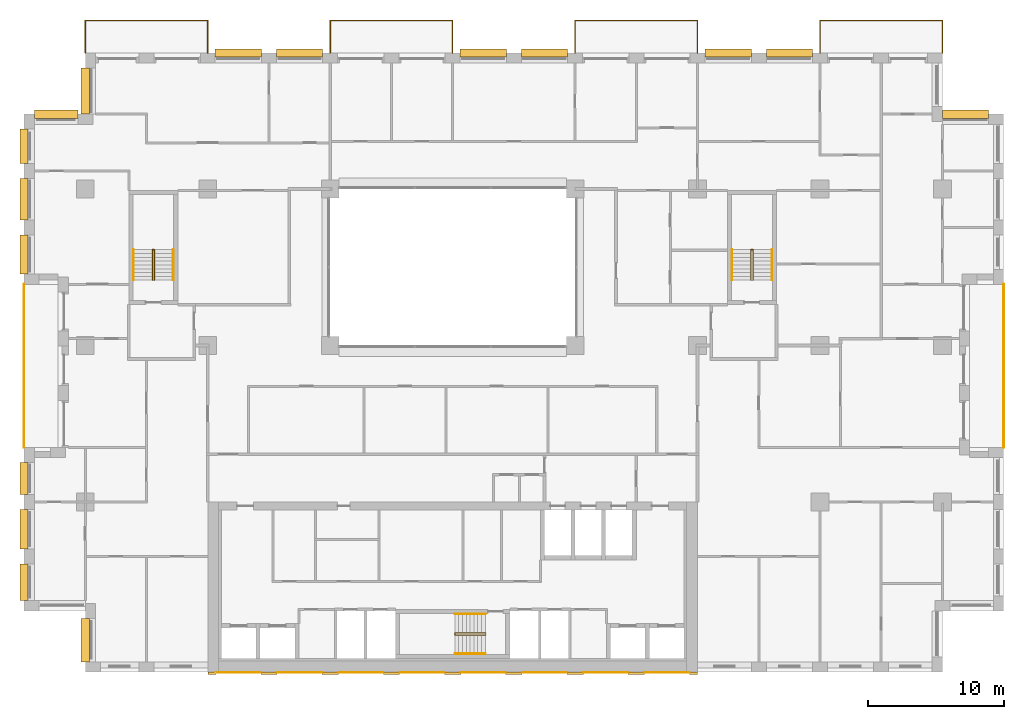
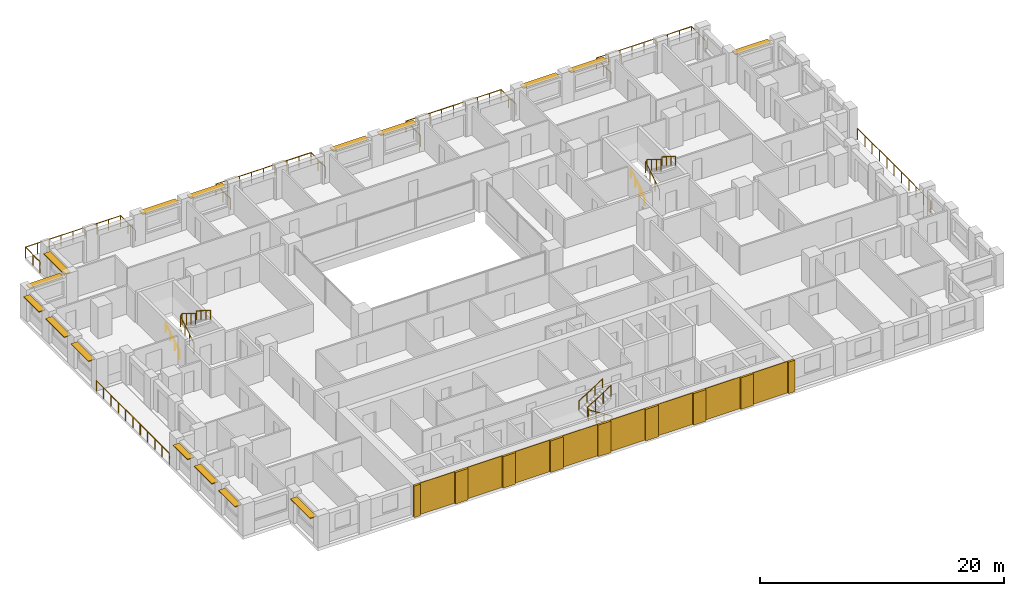
# One storey, part 16 of 16: 17 coverings, 16 shading devices, 15 railings.
"""IFC4 building model written with IfcOpenShell, lengths in metres."""

import ifcopenshell
import ifcopenshell.guid

model = None  # the IFC model being written
_history = None  # IfcOwnerHistory: only IFC2X3 demands one
_inside = {}  # id of a spatial element -> (the spatial element, [elements in it])
_under = {}  # id of a project, library or spatial element -> (it, [spatial elements below it])
_declared = {}  # id of a project -> (the project, [libraries it declares])
_typed = {}  # id of a type object -> (the type object, [elements of that type])
_made_of = {}  # id of a material, layer set ... -> (it, [elements and type objects made of it])


def new_model(schema):
    """Start an empty IFC model of exactly this schema.

    Asked for "IFC4X3", IfcOpenShell would pick the latest addendum, in which some entities
    have other attributes; the version numbers below select the first issue.
    IFC2X3 requires an IfcOwnerHistory on every rooted entity: one is made here for all.
    """
    global model, _history
    if schema == "IFC4X3":
        model = ifcopenshell.file(schema_version=(4, 3, 0, 0))
    else:
        model = ifcopenshell.file(schema=schema)
    _inside.clear()
    _under.clear()
    _declared.clear()
    _typed.clear()
    _made_of.clear()
    _history = None
    if model.schema == "IFC2X3":
        org = make("IfcOrganization", Name="unknown")
        user = make(
            "IfcPersonAndOrganization",
            ThePerson=make("IfcPerson", FamilyName="unknown"),
            TheOrganization=org,
        )
        app = make(
            "IfcApplication",
            ApplicationDeveloper=org,
            Version="unknown",
            ApplicationFullName="unknown",
            ApplicationIdentifier="unknown",
        )
        _history = make(
            "IfcOwnerHistory",
            OwningUser=user,
            OwningApplication=app,
            ChangeAction="ADDED",
            CreationDate=0,
        )
    return model


def make(cls, **values):
    """One entity of the class cls with the attributes given. An attribute that is None is left unset."""
    return model.create_entity(
        cls, **{name: value for name, value in values.items() if value is not None}
    )


def rooted(cls, **values):
    """An entity with a GlobalId (a new one), such as an element, a storey or a relation."""
    return make(cls, GlobalId=ifcopenshell.guid.new(), OwnerHistory=_history, **values)


def si_unit(unit_type, name, prefix=None):
    """IfcSIUnit, for example si_unit("LENGTHUNIT", "METRE", prefix="MILLI")."""
    return make("IfcSIUnit", UnitType=unit_type, Prefix=prefix, Name=name)


def assignment(units):
    """IfcUnitAssignment: the units of a project."""
    return None if units is None else make("IfcUnitAssignment", Units=units)


def point(xyz):
    """IfcCartesianPoint."""
    return None if xyz is None else make("IfcCartesianPoint", Coordinates=xyz)


def direction(xyz):
    """IfcDirection."""
    return None if xyz is None else make("IfcDirection", DirectionRatios=xyz)


def frame(location, z_axis=None, x_axis=None):
    """IfcAxis2Placement3D, a coordinate frame: its origin and axes. An axis left out is left unset."""
    return make(
        "IfcAxis2Placement3D",
        Location=point(location),
        Axis=direction(z_axis),
        RefDirection=direction(x_axis),
    )


def frame_2d(location, x_axis=None):
    """IfcAxis2Placement2D, a coordinate frame in the plane: its origin and x axis."""
    return make(
        "IfcAxis2Placement2D", Location=point(location), RefDirection=direction(x_axis)
    )


def origin():
    """The frame at (0, 0, 0) with its axes left unset."""
    return frame((0.0, 0.0, 0.0))


def origin_2d():
    """The frame at (0, 0) in the plane with its x axis left unset."""
    return frame_2d((0.0, 0.0))


def place(relative_to, where):
    """IfcLocalPlacement: puts the frame where relative to a parent placement (None: the world)."""
    return make(
        "IfcLocalPlacement", PlacementRelTo=relative_to, RelativePlacement=where
    )


def context(
    kind, dimensions, precision=None, world=None, true_north=None, identifier=None
):
    """IfcGeometricRepresentationContext, for example the 3D "Model" context."""
    return make(
        "IfcGeometricRepresentationContext",
        ContextIdentifier=identifier,
        ContextType=kind,
        CoordinateSpaceDimension=dimensions,
        Precision=precision,
        WorldCoordinateSystem=world,
        TrueNorth=true_north,
    )


def subcontext(parent, identifier, kind, view, scale=None):
    """IfcGeometricRepresentationSubContext, for example "Body" below "Model"."""
    return make(
        "IfcGeometricRepresentationSubContext",
        ContextIdentifier=identifier,
        ContextType=kind,
        ParentContext=parent,
        TargetScale=scale,
        TargetView=view,
    )


def project(units=None, contexts=None):
    """IfcProject with its units and contexts."""
    return rooted(
        "IfcProject",
        Name="project",
        RepresentationContexts=contexts,
        UnitsInContext=assignment(units),
    )


def spatial(cls, under=None, at=None, **own):
    """A site, building, storey or space (cls), placed at a placement, below another one or the project."""
    s = rooted(cls, ObjectPlacement=at, **own)
    if under is not None:
        _under.setdefault(under.id(), (under, []))[1].append(s)
    return s


def profile(cls, at=None, kind="AREA", **sizes):
    """A parametric profile (cls). Its sizes go by their IFC names, for example OverallWidth=200.0."""
    return make(cls, ProfileType=kind, Position=at, **sizes)


def rectangle(**sizes):
    """IfcRectangleProfileDef."""
    return profile("IfcRectangleProfileDef", **sizes)


def circle(**sizes):
    """IfcCircleProfileDef."""
    return profile("IfcCircleProfileDef", **sizes)


def extrude(swept, where, along, depth):
    """IfcExtrudedAreaSolid: the profile swept, set in the frame where, extruded along a direction by depth."""
    return make(
        "IfcExtrudedAreaSolid",
        SweptArea=swept,
        Position=where,
        ExtrudedDirection=direction(along),
        Depth=depth,
    )


def shape(context_of_items, identifier, shape_type, items):
    """IfcShapeRepresentation: the items that make up one representation, for example the "Body"."""
    return make(
        "IfcShapeRepresentation",
        ContextOfItems=context_of_items,
        RepresentationIdentifier=identifier,
        RepresentationType=shape_type,
        Items=items,
    )


def material(Name=None, Category=None):
    """IfcMaterial."""
    return make("IfcMaterial", Name=Name, Category=Category)


def layer(
    of_material, thickness, ventilated=None, Name=None, Category=None, Priority=None
):
    """IfcMaterialLayer: one layer of a wall or slab, of a material (None: an air gap)."""
    return make(
        "IfcMaterialLayer",
        Material=of_material,
        LayerThickness=thickness,
        IsVentilated=ventilated,
        Name=Name,
        Category=Category,
        Priority=Priority,
    )


def layer_set(layers, Name=None):
    """IfcMaterialLayerSet."""
    return make("IfcMaterialLayerSet", MaterialLayers=layers, LayerSetName=Name)


def made_of(thing, what):
    """Note that an element or type object is made of a material, layer set ...; save() writes the relation."""
    if what is not None:
        _made_of.setdefault(what.id(), (what, []))[1].append(thing)
    return thing


def type_object(cls, material=None, **own):
    """A type object (cls), such as IfcWallType, which elements share."""
    return made_of(rooted(cls, **own), material)


def element(
    cls,
    number,
    at=None,
    inside=None,
    cuts=None,
    type_object=None,
    material=None,
    context=None,
    identifier="Body",
    shape_type=None,
    held_by="IfcProductDefinitionShape",
    body=None,
    shapes=None,
    **own,
):
    """One element of the class cls, such as IfcWall. Its Tag is "e" and its number.

    at: its placement. inside: the storey or other place that contains it. cuts: it is an
    opening in that element (IfcRelVoidsElement). A single representation is given by context,
    identifier, shape_type and body (its items); several are given by shapes. held_by: the class
    of the entity that holds the representations. save() writes the other relations.
    """
    e = rooted(cls, Tag="e%d" % number, ObjectPlacement=at, **own)
    if body is not None:
        shapes = [shape(context, identifier, shape_type, body)]
    if shapes is not None:
        e.Representation = make(held_by, Representations=shapes)
    if inside is not None:
        _inside.setdefault(inside.id(), (inside, []))[1].append(e)
    if cuts is not None:
        rooted(
            "IfcRelVoidsElement", RelatingBuildingElement=cuts, RelatedOpeningElement=e
        )
    if type_object is not None:
        _typed.setdefault(type_object.id(), (type_object, []))[1].append(e)
    return made_of(e, material)


def aggregate(whole, parts):
    """IfcRelAggregates: a whole, such as a stair, and the parts it consists of."""
    return rooted("IfcRelAggregates", RelatingObject=whole, RelatedObjects=parts)


def save(model, path):
    """Write the relations noted so far, then the file.

    IfcRelAggregates (storeys below a building ...), IfcRelContainedInSpatialStructure (elements
    in a storey), IfcRelDefinesByType, IfcRelAssociatesMaterial and IfcRelDeclares: one each for
    every whole, place, type object, material and project.
    """
    for whole, parts in _under.values():
        aggregate(whole, parts)
    for where, things in _inside.values():
        rooted(
            "IfcRelContainedInSpatialStructure",
            RelatedElements=things,
            RelatingStructure=where,
        )
    for kind, things in _typed.values():
        rooted("IfcRelDefinesByType", RelatedObjects=things, RelatingType=kind)
    for what, things in _made_of.values():
        rooted("IfcRelAssociatesMaterial", RelatedObjects=things, RelatingMaterial=what)
    for by, libraries in _declared.values():
        rooted("IfcRelDeclares", RelatingContext=by, RelatedDefinitions=libraries)
    model.write(path)


model = new_model("IFC4")

# Units and contexts
model_context = context("Model", 3, precision=1e-05, world=origin(), true_north=direction((0.0, 1.0)))
body_context = subcontext(model_context, "Body", "Model", "MODEL_VIEW")
ifc_project = project(units=[si_unit("LENGTHUNIT", "METRE"), si_unit("AREAUNIT", "SQUARE_METRE"), si_unit("VOLUMEUNIT", "CUBIC_METRE"), si_unit("PLANEANGLEUNIT", "RADIAN"), si_unit("MASSUNIT", "GRAM", prefix="KILO")], contexts=[model_context])

# Site, building, storey
site_placement = place(None, origin())
site = spatial("IfcSite", under=ifc_project, at=site_placement, CompositionType="ELEMENT")
building_placement = place(site_placement, origin())
building = spatial("IfcBuilding", under=site, at=building_placement, Name="Brigalow Station Residences", CompositionType="ELEMENT")
storey_placement = place(building_placement, frame((0.0, 0.0, 115.050048828125)))
storey = spatial("IfcBuildingStorey", under=building, at=storey_placement, Name="L33", CompositionType="ELEMENT", Elevation=115.050048828125)

# Railings
ifc_material_1 = material(Name="Stainless steel balustrade with laminated glass infill", Category="steel")
railing_type_1 = type_object("IfcRailingType", Name="BALCONY GUARD 1100", PredefinedType="GUARDRAIL", material=ifc_material_1)
railing_1_placement = place(storey_placement, frame((76.5, 16.5, -0.0400390625)))
element("IfcRailing", 1, at=railing_1_placement, inside=storey, type_object=railing_type_1, Name="L33/balcony-guard/1", PredefinedType="GUARDRAIL", context=body_context, shape_type="SweptSolid", body=[
    extrude(circle(Radius=0.02392578125, at=origin_2d()), frame((0.0, 0.0, 1.076171875), z_axis=(0.0, 1.0, 0.0), x_axis=(-1.0, 0.0, 0.0)), (0.0, 0.0, 1.0), 12.0),
    extrude(circle(Radius=0.02099609375, at=origin_2d()), origin(), (0.0, 0.0, 1.0), 1.052001953125),
    extrude(circle(Radius=0.02099609375, at=origin_2d()), frame((0.0, 1.199951171875, 0.0)), (0.0, 0.0, 1.0), 1.052001953125),
    extrude(circle(Radius=0.02099609375, at=origin_2d()), frame((0.0, 2.39990234375, 0.0)), (0.0, 0.0, 1.0), 1.052001953125),
    extrude(circle(Radius=0.02099609375, at=origin_2d()), frame((0.0, 3.60009765625, 0.0)), (0.0, 0.0, 1.0), 1.052001953125),
    extrude(circle(Radius=0.02099609375, at=origin_2d()), frame((0.0, 4.800048828125, 0.0)), (0.0, 0.0, 1.0), 1.052001953125),
    extrude(circle(Radius=0.02099609375, at=origin_2d()), frame((0.0, 6.0, 0.0)), (0.0, 0.0, 1.0), 1.052001953125),
    extrude(circle(Radius=0.02099609375, at=origin_2d()), frame((0.0, 7.199951171875, 0.0)), (0.0, 0.0, 1.0), 1.052001953125),
    extrude(circle(Radius=0.02099609375, at=origin_2d()), frame((0.0, 8.39990234375, 0.0)), (0.0, 0.0, 1.0), 1.052001953125),
    extrude(circle(Radius=0.02099609375, at=origin_2d()), frame((0.0, 9.60009765625, 0.0)), (0.0, 0.0, 1.0), 1.052001953125),
    extrude(circle(Radius=0.02099609375, at=origin_2d()), frame((0.0, 10.800048828125, 0.0)), (0.0, 0.0, 1.0), 1.052001953125),
    extrude(circle(Radius=0.02099609375, at=origin_2d()), frame((0.0, 12.0, 0.0)), (0.0, 0.0, 1.0), 1.052001953125),
])
railing_2_placement = place(storey_placement, frame((72.0, 45.5, -0.0400390625)))
element("IfcRailing", 2, at=railing_2_placement, inside=storey, type_object=railing_type_1, Name="L33/balcony-guard/2", PredefinedType="GUARDRAIL", context=body_context, shape_type="SweptSolid", body=[
    extrude(circle(Radius=0.02392578125, at=origin_2d()), frame((0.0, 0.0, 1.076171875), z_axis=(0.0, 1.0, 0.0), x_axis=(-1.0, 0.0, 0.0)), (0.0, 0.0, 1.0), 2.39990234375),
    extrude(circle(Radius=0.02392578125, at=origin_2d()), frame((0.0, 2.39990234375, 1.076171875), z_axis=(-1.0, 0.0, 0.0), x_axis=(0.0, -1.0, 0.0)), (0.0, 0.0, 1.0), 9.0),
    extrude(circle(Radius=0.02392578125, at=origin_2d()), frame((-9.0, 2.39990234375, 1.076171875), z_axis=(0.0, -1.0, 0.0), x_axis=(1.0, 0.0, 0.0)), (0.0, 0.0, 1.0), 2.39990234375),
    extrude(circle(Radius=0.02099609375, at=origin_2d()), origin(), (0.0, 0.0, 1.0), 1.052001953125),
    extrude(circle(Radius=0.02099609375, at=origin_2d()), frame((0.0, 1.199951171875, 0.0)), (0.0, 0.0, 1.0), 1.052001953125),
    extrude(circle(Radius=0.02099609375, at=origin_2d()), frame((0.0, 2.39990234375, 0.0)), (0.0, 0.0, 1.0), 1.052001953125),
    extrude(circle(Radius=0.02099609375, at=origin_2d()), frame((-1.125, 2.39990234375, 0.0)), (0.0, 0.0, 1.0), 1.052001953125),
    extrude(circle(Radius=0.02099609375, at=origin_2d()), frame((-2.25, 2.39990234375, 0.0)), (0.0, 0.0, 1.0), 1.052001953125),
    extrude(circle(Radius=0.02099609375, at=origin_2d()), frame((-3.375, 2.39990234375, 0.0)), (0.0, 0.0, 1.0), 1.052001953125),
    extrude(circle(Radius=0.02099609375, at=origin_2d()), frame((-4.5, 2.39990234375, 0.0)), (0.0, 0.0, 1.0), 1.052001953125),
    extrude(circle(Radius=0.02099609375, at=origin_2d()), frame((-5.625, 2.39990234375, 0.0)), (0.0, 0.0, 1.0), 1.052001953125),
    extrude(circle(Radius=0.02099609375, at=origin_2d()), frame((-6.75, 2.39990234375, 0.0)), (0.0, 0.0, 1.0), 1.052001953125),
    extrude(circle(Radius=0.02099609375, at=origin_2d()), frame((-7.875, 2.39990234375, 0.0)), (0.0, 0.0, 1.0), 1.052001953125),
    extrude(circle(Radius=0.02099609375, at=origin_2d()), frame((-9.0, 2.39990234375, 0.0)), (0.0, 0.0, 1.0), 1.052001953125),
    extrude(circle(Radius=0.02099609375, at=origin_2d()), frame((-9.0, 1.199951171875, 0.0)), (0.0, 0.0, 1.0), 1.052001953125),
    extrude(circle(Radius=0.02099609375, at=origin_2d()), frame((-9.0, 0.0, 0.0)), (0.0, 0.0, 1.0), 1.052001953125),
])
railing_3_placement = place(storey_placement, frame((54.0, 45.5, -0.0400390625)))
element("IfcRailing", 3, at=railing_3_placement, inside=storey, type_object=railing_type_1, Name="L33/balcony-guard/3", PredefinedType="GUARDRAIL", context=body_context, shape_type="SweptSolid", body=[
    extrude(circle(Radius=0.02392578125, at=origin_2d()), frame((0.0, 0.0, 1.076171875), z_axis=(0.0, 1.0, 0.0), x_axis=(-1.0, 0.0, 0.0)), (0.0, 0.0, 1.0), 2.39990234375),
    extrude(circle(Radius=0.02392578125, at=origin_2d()), frame((0.0, 2.39990234375, 1.076171875), z_axis=(-1.0, 0.0, 0.0), x_axis=(0.0, -1.0, 0.0)), (0.0, 0.0, 1.0), 9.0),
    extrude(circle(Radius=0.02392578125, at=origin_2d()), frame((-9.0, 2.39990234375, 1.076171875), z_axis=(0.0, -1.0, 0.0), x_axis=(1.0, 0.0, 0.0)), (0.0, 0.0, 1.0), 2.39990234375),
    extrude(circle(Radius=0.02099609375, at=origin_2d()), origin(), (0.0, 0.0, 1.0), 1.052001953125),
    extrude(circle(Radius=0.02099609375, at=origin_2d()), frame((0.0, 1.199951171875, 0.0)), (0.0, 0.0, 1.0), 1.052001953125),
    extrude(circle(Radius=0.02099609375, at=origin_2d()), frame((0.0, 2.39990234375, 0.0)), (0.0, 0.0, 1.0), 1.052001953125),
    extrude(circle(Radius=0.02099609375, at=origin_2d()), frame((-1.125, 2.39990234375, 0.0)), (0.0, 0.0, 1.0), 1.052001953125),
    extrude(circle(Radius=0.02099609375, at=origin_2d()), frame((-2.25, 2.39990234375, 0.0)), (0.0, 0.0, 1.0), 1.052001953125),
    extrude(circle(Radius=0.02099609375, at=origin_2d()), frame((-3.375, 2.39990234375, 0.0)), (0.0, 0.0, 1.0), 1.052001953125),
    extrude(circle(Radius=0.02099609375, at=origin_2d()), frame((-4.5, 2.39990234375, 0.0)), (0.0, 0.0, 1.0), 1.052001953125),
    extrude(circle(Radius=0.02099609375, at=origin_2d()), frame((-5.625, 2.39990234375, 0.0)), (0.0, 0.0, 1.0), 1.052001953125),
    extrude(circle(Radius=0.02099609375, at=origin_2d()), frame((-6.75, 2.39990234375, 0.0)), (0.0, 0.0, 1.0), 1.052001953125),
    extrude(circle(Radius=0.02099609375, at=origin_2d()), frame((-7.875, 2.39990234375, 0.0)), (0.0, 0.0, 1.0), 1.052001953125),
    extrude(circle(Radius=0.02099609375, at=origin_2d()), frame((-9.0, 2.39990234375, 0.0)), (0.0, 0.0, 1.0), 1.052001953125),
    extrude(circle(Radius=0.02099609375, at=origin_2d()), frame((-9.0, 1.199951171875, 0.0)), (0.0, 0.0, 1.0), 1.052001953125),
    extrude(circle(Radius=0.02099609375, at=origin_2d()), frame((-9.0, 0.0, 0.0)), (0.0, 0.0, 1.0), 1.052001953125),
])
railing_4_placement = place(storey_placement, frame((36.0, 45.5, -0.0400390625)))
element("IfcRailing", 4, at=railing_4_placement, inside=storey, type_object=railing_type_1, Name="L33/balcony-guard/4", PredefinedType="GUARDRAIL", context=body_context, shape_type="SweptSolid", body=[
    extrude(circle(Radius=0.02392578125, at=origin_2d()), frame((0.0, 0.0, 1.076171875), z_axis=(0.0, 1.0, 0.0), x_axis=(-1.0, 0.0, 0.0)), (0.0, 0.0, 1.0), 2.39990234375),
    extrude(circle(Radius=0.02392578125, at=origin_2d()), frame((0.0, 2.39990234375, 1.076171875), z_axis=(-1.0, 0.0, 0.0), x_axis=(0.0, -1.0, 0.0)), (0.0, 0.0, 1.0), 9.0),
    extrude(circle(Radius=0.02392578125, at=origin_2d()), frame((-9.0, 2.39990234375, 1.076171875), z_axis=(0.0, -1.0, 0.0), x_axis=(1.0, 0.0, 0.0)), (0.0, 0.0, 1.0), 2.39990234375),
    extrude(circle(Radius=0.02099609375, at=origin_2d()), origin(), (0.0, 0.0, 1.0), 1.052001953125),
    extrude(circle(Radius=0.02099609375, at=origin_2d()), frame((0.0, 1.199951171875, 0.0)), (0.0, 0.0, 1.0), 1.052001953125),
    extrude(circle(Radius=0.02099609375, at=origin_2d()), frame((0.0, 2.39990234375, 0.0)), (0.0, 0.0, 1.0), 1.052001953125),
    extrude(circle(Radius=0.02099609375, at=origin_2d()), frame((-1.125, 2.39990234375, 0.0)), (0.0, 0.0, 1.0), 1.052001953125),
    extrude(circle(Radius=0.02099609375, at=origin_2d()), frame((-2.25, 2.39990234375, 0.0)), (0.0, 0.0, 1.0), 1.052001953125),
    extrude(circle(Radius=0.02099609375, at=origin_2d()), frame((-3.375, 2.39990234375, 0.0)), (0.0, 0.0, 1.0), 1.052001953125),
    extrude(circle(Radius=0.02099609375, at=origin_2d()), frame((-4.5, 2.39990234375, 0.0)), (0.0, 0.0, 1.0), 1.052001953125),
    extrude(circle(Radius=0.02099609375, at=origin_2d()), frame((-5.625, 2.39990234375, 0.0)), (0.0, 0.0, 1.0), 1.052001953125),
    extrude(circle(Radius=0.02099609375, at=origin_2d()), frame((-6.75, 2.39990234375, 0.0)), (0.0, 0.0, 1.0), 1.052001953125),
    extrude(circle(Radius=0.02099609375, at=origin_2d()), frame((-7.875, 2.39990234375, 0.0)), (0.0, 0.0, 1.0), 1.052001953125),
    extrude(circle(Radius=0.02099609375, at=origin_2d()), frame((-9.0, 2.39990234375, 0.0)), (0.0, 0.0, 1.0), 1.052001953125),
    extrude(circle(Radius=0.02099609375, at=origin_2d()), frame((-9.0, 1.199951171875, 0.0)), (0.0, 0.0, 1.0), 1.052001953125),
    extrude(circle(Radius=0.02099609375, at=origin_2d()), frame((-9.0, 0.0, 0.0)), (0.0, 0.0, 1.0), 1.052001953125),
])
railing_5_placement = place(storey_placement, frame((18.0, 45.5, -0.0400390625)))
element("IfcRailing", 5, at=railing_5_placement, inside=storey, type_object=railing_type_1, Name="L33/balcony-guard/5", PredefinedType="GUARDRAIL", context=body_context, shape_type="SweptSolid", body=[
    extrude(circle(Radius=0.02392578125, at=origin_2d()), frame((0.0, 0.0, 1.076171875), z_axis=(0.0, 1.0, 0.0), x_axis=(-1.0, 0.0, 0.0)), (0.0, 0.0, 1.0), 2.39990234375),
    extrude(circle(Radius=0.02392578125, at=origin_2d()), frame((0.0, 2.39990234375, 1.076171875), z_axis=(-1.0, 0.0, 0.0), x_axis=(0.0, -1.0, 0.0)), (0.0, 0.0, 1.0), 9.0),
    extrude(circle(Radius=0.02392578125, at=origin_2d()), frame((-9.0, 2.39990234375, 1.076171875), z_axis=(0.0, -1.0, 0.0), x_axis=(1.0, 0.0, 0.0)), (0.0, 0.0, 1.0), 2.39990234375),
    extrude(circle(Radius=0.02099609375, at=origin_2d()), origin(), (0.0, 0.0, 1.0), 1.052001953125),
    extrude(circle(Radius=0.02099609375, at=origin_2d()), frame((0.0, 1.199951171875, 0.0)), (0.0, 0.0, 1.0), 1.052001953125),
    extrude(circle(Radius=0.02099609375, at=origin_2d()), frame((0.0, 2.39990234375, 0.0)), (0.0, 0.0, 1.0), 1.052001953125),
    extrude(circle(Radius=0.02099609375, at=origin_2d()), frame((-1.125, 2.39990234375, 0.0)), (0.0, 0.0, 1.0), 1.052001953125),
    extrude(circle(Radius=0.02099609375, at=origin_2d()), frame((-2.25, 2.39990234375, 0.0)), (0.0, 0.0, 1.0), 1.052001953125),
    extrude(circle(Radius=0.02099609375, at=origin_2d()), frame((-3.375, 2.39990234375, 0.0)), (0.0, 0.0, 1.0), 1.052001953125),
    extrude(circle(Radius=0.02099609375, at=origin_2d()), frame((-4.5, 2.39990234375, 0.0)), (0.0, 0.0, 1.0), 1.052001953125),
    extrude(circle(Radius=0.02099609375, at=origin_2d()), frame((-5.625, 2.39990234375, 0.0)), (0.0, 0.0, 1.0), 1.052001953125),
    extrude(circle(Radius=0.02099609375, at=origin_2d()), frame((-6.75, 2.39990234375, 0.0)), (0.0, 0.0, 1.0), 1.052001953125),
    extrude(circle(Radius=0.02099609375, at=origin_2d()), frame((-7.875, 2.39990234375, 0.0)), (0.0, 0.0, 1.0), 1.052001953125),
    extrude(circle(Radius=0.02099609375, at=origin_2d()), frame((-9.0, 2.39990234375, 0.0)), (0.0, 0.0, 1.0), 1.052001953125),
    extrude(circle(Radius=0.02099609375, at=origin_2d()), frame((-9.0, 1.199951171875, 0.0)), (0.0, 0.0, 1.0), 1.052001953125),
    extrude(circle(Radius=0.02099609375, at=origin_2d()), frame((-9.0, 0.0, 0.0)), (0.0, 0.0, 1.0), 1.052001953125),
])
railing_6_placement = place(storey_placement, frame((4.5, 28.5, -0.0400390625)))
element("IfcRailing", 6, at=railing_6_placement, inside=storey, type_object=railing_type_1, Name="L33/balcony-guard/6", PredefinedType="GUARDRAIL", context=body_context, shape_type="SweptSolid", body=[
    extrude(circle(Radius=0.02392578125, at=origin_2d()), frame((0.0, 0.0, 1.076171875), z_axis=(0.0, -1.0, 0.0), x_axis=(1.0, 0.0, 0.0)), (0.0, 0.0, 1.0), 12.0),
    extrude(circle(Radius=0.02099609375, at=origin_2d()), origin(), (0.0, 0.0, 1.0), 1.052001953125),
    extrude(circle(Radius=0.02099609375, at=origin_2d()), frame((0.0, -1.199951171875, 0.0)), (0.0, 0.0, 1.0), 1.052001953125),
    extrude(circle(Radius=0.02099609375, at=origin_2d()), frame((0.0, -2.39990234375, 0.0)), (0.0, 0.0, 1.0), 1.052001953125),
    extrude(circle(Radius=0.02099609375, at=origin_2d()), frame((0.0, -3.60009765625, 0.0)), (0.0, 0.0, 1.0), 1.052001953125),
    extrude(circle(Radius=0.02099609375, at=origin_2d()), frame((0.0, -4.800048828125, 0.0)), (0.0, 0.0, 1.0), 1.052001953125),
    extrude(circle(Radius=0.02099609375, at=origin_2d()), frame((0.0, -6.0, 0.0)), (0.0, 0.0, 1.0), 1.052001953125),
    extrude(circle(Radius=0.02099609375, at=origin_2d()), frame((0.0, -7.199951171875, 0.0)), (0.0, 0.0, 1.0), 1.052001953125),
    extrude(circle(Radius=0.02099609375, at=origin_2d()), frame((0.0, -8.39990234375, 0.0)), (0.0, 0.0, 1.0), 1.052001953125),
    extrude(circle(Radius=0.02099609375, at=origin_2d()), frame((0.0, -9.60009765625, 0.0)), (0.0, 0.0, 1.0), 1.052001953125),
    extrude(circle(Radius=0.02099609375, at=origin_2d()), frame((0.0, -10.800048828125, 0.0)), (0.0, 0.0, 1.0), 1.052001953125),
    extrude(circle(Radius=0.02099609375, at=origin_2d()), frame((0.0, -12.0, 0.0)), (0.0, 0.0, 1.0), 1.052001953125),
])

# Coverings
ifc_material_2 = material(Name="Clay brick masonry", Category="masonry")
ifc_layer_1 = layer(ifc_material_2, 0.06005859375)
ifc_layer_set_1 = layer_set([ifc_layer_1], Name="BRICK PANEL FACING 60")
covering_type_1 = type_object("IfcCoveringType", Name="BRICK PANEL FACING 60", PredefinedType="CLADDING", material=ifc_layer_set_1)
for number, where, z_axis, x_axis, name in (
    (7, (20.25, -0.030029296875, 0.0), (0.0, 0.0, 1.0), (1.0, 0.0, 0.0), "L33/rear-facing/panel-1"),
    (8, (24.75, -0.030029296875, 0.0), (0.0, 0.0, 1.0), (1.0, 0.0, 0.0), "L33/rear-facing/panel-2"),
    (9, (29.25, -0.030029296875, 0.0), (0.0, 0.0, 1.0), (1.0, 0.0, 0.0), "L33/rear-facing/panel-3"),
    (10, (33.75, -0.030029296875, 0.0), (0.0, 0.0, 1.0), (1.0, 0.0, 0.0), "L33/rear-facing/panel-4"),
    (11, (38.25, -0.030029296875, 0.0), (0.0, 0.0, 1.0), (1.0, 0.0, 0.0), "L33/rear-facing/panel-5"),
    (12, (42.75, -0.030029296875, 0.0), (0.0, 0.0, 1.0), (1.0, 0.0, 0.0), "L33/rear-facing/panel-6"),
    (13, (47.25, -0.030029296875, 0.0), (0.0, 0.0, 1.0), (1.0, 0.0, 0.0), "L33/rear-facing/panel-7"),
    (14, (51.75, -0.030029296875, 0.0), (0.0, 0.0, 1.0), (1.0, 0.0, 0.0), "L33/rear-facing/panel-8"),
):
    element("IfcCovering", number, at=place(storey_placement, frame(where, z_axis=z_axis, x_axis=x_axis)), inside=storey, type_object=covering_type_1, Name=name, PredefinedType="CLADDING", context=body_context, shape_type="SweptSolid", body=[
        extrude(rectangle(XDim=3.300048828125, YDim=0.06005859375, at=origin_2d()), origin(), (0.0, 0.0, 1.0), 3.14990234375),
    ])
ifc_material_3 = material(Name="Clay brick masonry", Category="masonry")
ifc_layer_2 = layer(ifc_material_3, 0.199951171875)
ifc_layer_set_2 = layer_set([ifc_layer_2], Name="BRICK PIER FACING 200")
covering_type_2 = type_object("IfcCoveringType", Name="BRICK PIER FACING 200", PredefinedType="CLADDING", material=ifc_layer_set_2)
covering_1_placement = place(storey_placement, frame((18.300048828125, -0.10009765625, 0.0), z_axis=(0.0, 0.0, 1.0), x_axis=(1.0, 0.0, 0.0)))
element("IfcCovering", 15, at=covering_1_placement, inside=storey, type_object=covering_type_2, Name="L33/rear-facing/pier-1", PredefinedType="CLADDING", context=body_context, shape_type="SweptSolid", body=[
    extrude(rectangle(XDim=0.60009765625, YDim=0.199951171875, at=origin_2d()), origin(), (0.0, 0.0, 1.0), 3.14990234375),
])
for number, where, z_axis, x_axis, name in (
    (16, (22.5, -0.10009765625, 0.0), (0.0, 0.0, 1.0), (1.0, 0.0, 0.0), "L33/rear-facing/pier-2"),
    (17, (27.0, -0.10009765625, 0.0), (0.0, 0.0, 1.0), (1.0, 0.0, 0.0), "L33/rear-facing/pier-3"),
    (18, (31.5, -0.10009765625, 0.0), (0.0, 0.0, 1.0), (1.0, 0.0, 0.0), "L33/rear-facing/pier-4"),
    (19, (36.0, -0.10009765625, 0.0), (0.0, 0.0, 1.0), (1.0, 0.0, 0.0), "L33/rear-facing/pier-5"),
    (20, (40.5, -0.10009765625, 0.0), (0.0, 0.0, 1.0), (1.0, 0.0, 0.0), "L33/rear-facing/pier-6"),
    (21, (45.0, -0.10009765625, 0.0), (0.0, 0.0, 1.0), (1.0, 0.0, 0.0), "L33/rear-facing/pier-7"),
    (22, (49.5, -0.10009765625, 0.0), (0.0, 0.0, 1.0), (1.0, 0.0, 0.0), "L33/rear-facing/pier-8"),
):
    element("IfcCovering", number, at=place(storey_placement, frame(where, z_axis=z_axis, x_axis=x_axis)), inside=storey, type_object=covering_type_2, Name=name, PredefinedType="CLADDING", context=body_context, shape_type="SweptSolid", body=[
        extrude(rectangle(XDim=1.199951171875, YDim=0.199951171875, at=origin_2d()), origin(), (0.0, 0.0, 1.0), 3.14990234375),
    ])
covering_2_placement = place(storey_placement, frame((53.699951171875, -0.10009765625, 0.0), z_axis=(0.0, 0.0, 1.0), x_axis=(1.0, 0.0, 0.0)))
element("IfcCovering", 23, at=covering_2_placement, inside=storey, type_object=covering_type_2, Name="L33/rear-facing/pier-9", PredefinedType="CLADDING", context=body_context, shape_type="SweptSolid", body=[
    extrude(rectangle(XDim=0.60009765625, YDim=0.199951171875, at=origin_2d()), origin(), (0.0, 0.0, 1.0), 3.14990234375),
])

# Railings
ifc_material_4 = material(Name="Stainless steel balustrade", Category="steel")
railing_type_2 = type_object("IfcRailingType", Name="STAIR GUARD 1100", PredefinedType="GUARDRAIL", material=ifc_material_4)
railing_7_placement = place(storey_placement, frame((38.39990234375, 2.72998046875, 0.175048828125)))
element("IfcRailing", 24, at=railing_7_placement, inside=storey, type_object=railing_type_2, Name="GUARD GR-2", PredefinedType="GUARDRAIL", context=body_context, shape_type="SweptSolid", body=[
    extrude(circle(Radius=0.02392578125, at=origin_2d()), frame((0.0, 0.0, 1.076171875), z_axis=(-0.848013881152, 0.0, 0.529974015752), x_axis=(0.0, -1.0, 0.0)), (0.0, 0.0, 1.0), 2.641357421875),
    extrude(circle(Radius=0.02392578125, at=origin_2d()), frame((-2.239990234375, 0.0, 2.47607421875), z_axis=(0.0, 0.624960567888, 0.780656319122), x_axis=(-1.0, 0.0, 0.0)), (0.0, 0.0, 1.0), 0.22412109375),
    extrude(circle(Radius=0.02392578125, at=origin_2d()), frame((-2.239990234375, 0.14013671875, 2.65087890625), z_axis=(0.848013881152, 0.0, 0.529974015752), x_axis=(0.0, 1.0, 0.0)), (0.0, 0.0, 1.0), 2.641357421875),
    extrude(circle(Radius=0.02099609375, at=origin_2d()), origin(), (0.0, 0.0, 1.0), 1.052001953125),
    extrude(circle(Radius=0.02099609375, at=origin_2d()), frame((-0.74658203125, 0.0, 0.466552734375)), (0.0, 0.0, 1.0), 1.052001953125),
    extrude(circle(Radius=0.02099609375, at=origin_2d()), frame((-1.493408203125, 0.0, 0.933349609375)), (0.0, 0.0, 1.0), 1.052001953125),
    extrude(circle(Radius=0.02099609375, at=origin_2d()), frame((-2.239990234375, 0.0, 1.39990234375)), (0.0, 0.0, 1.0), 1.052001953125),
    extrude(circle(Radius=0.02099609375, at=origin_2d()), frame((-2.239990234375, 0.14013671875, 1.574951171875)), (0.0, 0.0, 1.0), 1.052001953125),
    extrude(circle(Radius=0.02099609375, at=origin_2d()), frame((-1.493408203125, 0.14013671875, 2.04150390625)), (0.0, 0.0, 1.0), 1.052001953125),
    extrude(circle(Radius=0.02099609375, at=origin_2d()), frame((-0.74658203125, 0.14013671875, 2.50830078125)), (0.0, 0.0, 1.0), 1.052001953125),
    extrude(circle(Radius=0.02099609375, at=origin_2d()), frame((0.0, 0.14013671875, 2.974853515625)), (0.0, 0.0, 1.0), 1.052001953125),
])
for number, where, name in (
    (25, (13.929931640625, 28.800048828125, 0.175048828125), "GUARD GR-1"),
    (26, (57.929931640625, 28.800048828125, 0.175048828125), "GUARD GR-3"),
):
    element("IfcRailing", number, at=place(storey_placement, frame(where)), inside=storey, type_object=railing_type_2, Name=name, PredefinedType="GUARDRAIL", context=body_context, shape_type="SweptSolid", body=[
        extrude(circle(Radius=0.02392578125, at=origin_2d()), frame((0.0, 0.0, 1.076171875), z_axis=(0.0, 0.848013881152, 0.529974015752), x_axis=(-1.0, 0.0, 0.0)), (0.0, 0.0, 1.0), 2.641357421875),
        extrude(circle(Radius=0.02392578125, at=origin_2d()), frame((0.0, 2.239990234375, 2.47607421875), z_axis=(0.624960567888, 0.0, 0.780656319122), x_axis=(0.0, 1.0, 0.0)), (0.0, 0.0, 1.0), 0.22412109375),
        extrude(circle(Radius=0.02392578125, at=origin_2d()), frame((0.14013671875, 2.239990234375, 2.65087890625), z_axis=(0.0, -0.848013881152, 0.529974015752), x_axis=(1.0, 0.0, 0.0)), (0.0, 0.0, 1.0), 2.641357421875),
        extrude(circle(Radius=0.02099609375, at=origin_2d()), origin(), (0.0, 0.0, 1.0), 1.052001953125),
        extrude(circle(Radius=0.02099609375, at=origin_2d()), frame((0.0, 0.74658203125, 0.466552734375)), (0.0, 0.0, 1.0), 1.052001953125),
        extrude(circle(Radius=0.02099609375, at=origin_2d()), frame((0.0, 1.493408203125, 0.933349609375)), (0.0, 0.0, 1.0), 1.052001953125),
        extrude(circle(Radius=0.02099609375, at=origin_2d()), frame((0.0, 2.239990234375, 1.39990234375)), (0.0, 0.0, 1.0), 1.052001953125),
        extrude(circle(Radius=0.02099609375, at=origin_2d()), frame((0.14013671875, 2.239990234375, 1.574951171875)), (0.0, 0.0, 1.0), 1.052001953125),
        extrude(circle(Radius=0.02099609375, at=origin_2d()), frame((0.14013671875, 1.493408203125, 2.04150390625)), (0.0, 0.0, 1.0), 1.052001953125),
        extrude(circle(Radius=0.02099609375, at=origin_2d()), frame((0.14013671875, 0.74658203125, 2.50830078125)), (0.0, 0.0, 1.0), 1.052001953125),
        extrude(circle(Radius=0.02099609375, at=origin_2d()), frame((0.14013671875, 0.0, 2.974853515625)), (0.0, 0.0, 1.0), 1.052001953125),
    ])
ifc_material_5 = material(Name="Stainless steel handrail", Category="steel")
railing_type_3 = type_object("IfcRailingType", Name="STAIR HANDRAIL 900", PredefinedType="HANDRAIL", material=ifc_material_5)
railing_8_placement = place(storey_placement, frame((38.39990234375, 1.340087890625, 0.175048828125)))
element("IfcRailing", 27, at=railing_8_placement, inside=storey, type_object=railing_type_3, Name="HANDRAIL HR-21", PredefinedType="HANDRAIL", context=body_context, shape_type="SweptSolid", body=[
    extrude(circle(Radius=0.02392578125, at=origin_2d()), frame((0.0, 0.0, 0.8759765625), z_axis=(-0.848013881152, 0.0, 0.529974015752), x_axis=(0.0, -1.0, 0.0)), (0.0, 0.0, 1.0), 2.641357421875),
    extrude(circle(Radius=0.02099609375, at=origin_2d()), origin(), (0.0, 0.0, 1.0), 0.851806640625),
    extrude(circle(Radius=0.02099609375, at=origin_2d()), frame((-0.74658203125, 0.0, 0.466552734375)), (0.0, 0.0, 1.0), 0.851806640625),
    extrude(circle(Radius=0.02099609375, at=origin_2d()), frame((-1.493408203125, 0.0, 0.933349609375)), (0.0, 0.0, 1.0), 0.851806640625),
    extrude(circle(Radius=0.02099609375, at=origin_2d()), frame((-2.239990234375, 0.0, 1.39990234375)), (0.0, 0.0, 1.0), 0.851806640625),
])
railing_9_placement = place(storey_placement, frame((36.159912109375, 4.260009765625, 1.75)))
element("IfcRailing", 28, at=railing_9_placement, inside=storey, type_object=railing_type_3, Name="HANDRAIL HR-22", PredefinedType="HANDRAIL", context=body_context, shape_type="SweptSolid", body=[
    extrude(circle(Radius=0.02392578125, at=origin_2d()), frame((0.0, 0.0, 0.8759765625), z_axis=(0.848013881152, 0.0, 0.529974015752), x_axis=(0.0, 1.0, 0.0)), (0.0, 0.0, 1.0), 2.641357421875),
    extrude(circle(Radius=0.02099609375, at=origin_2d()), origin(), (0.0, 0.0, 1.0), 0.851806640625),
    extrude(circle(Radius=0.02099609375, at=origin_2d()), frame((0.74658203125, 0.0, 0.466552734375)), (0.0, 0.0, 1.0), 0.851806640625),
    extrude(circle(Radius=0.02099609375, at=origin_2d()), frame((1.493408203125, 0.0, 0.933349609375)), (0.0, 0.0, 1.0), 0.851806640625),
    extrude(circle(Radius=0.02099609375, at=origin_2d()), frame((2.239990234375, 0.0, 1.39990234375)), (0.0, 0.0, 1.0), 0.851806640625),
])
railing_10_placement = place(storey_placement, frame((12.5400390625, 28.800048828125, 0.175048828125)))
element("IfcRailing", 29, at=railing_10_placement, inside=storey, type_object=railing_type_3, Name="HANDRAIL HR-11", PredefinedType="HANDRAIL", context=body_context, shape_type="SweptSolid", body=[
    extrude(circle(Radius=0.02392578125, at=origin_2d()), frame((0.0, 0.0, 0.8759765625), z_axis=(0.0, 0.848013881152, 0.529974015752), x_axis=(-1.0, 0.0, 0.0)), (0.0, 0.0, 1.0), 2.641357421875),
    extrude(circle(Radius=0.02099609375, at=origin_2d()), origin(), (0.0, 0.0, 1.0), 0.851806640625),
    extrude(circle(Radius=0.02099609375, at=origin_2d()), frame((0.0, 0.74658203125, 0.466552734375)), (0.0, 0.0, 1.0), 0.851806640625),
    extrude(circle(Radius=0.02099609375, at=origin_2d()), frame((0.0, 1.493408203125, 0.933349609375)), (0.0, 0.0, 1.0), 0.851806640625),
    extrude(circle(Radius=0.02099609375, at=origin_2d()), frame((0.0, 2.239990234375, 1.39990234375)), (0.0, 0.0, 1.0), 0.851806640625),
])
railing_11_placement = place(storey_placement, frame((15.4599609375, 31.0400390625, 1.75)))
element("IfcRailing", 30, at=railing_11_placement, inside=storey, type_object=railing_type_3, Name="HANDRAIL HR-12", PredefinedType="HANDRAIL", context=body_context, shape_type="SweptSolid", body=[
    extrude(circle(Radius=0.02392578125, at=origin_2d()), frame((0.0, 0.0, 0.8759765625), z_axis=(0.0, -0.848013881152, 0.529974015752), x_axis=(1.0, 0.0, 0.0)), (0.0, 0.0, 1.0), 2.641357421875),
    extrude(circle(Radius=0.02099609375, at=origin_2d()), origin(), (0.0, 0.0, 1.0), 0.851806640625),
    extrude(circle(Radius=0.02099609375, at=origin_2d()), frame((0.0, -0.74658203125, 0.466552734375)), (0.0, 0.0, 1.0), 0.851806640625),
    extrude(circle(Radius=0.02099609375, at=origin_2d()), frame((0.0, -1.493408203125, 0.933349609375)), (0.0, 0.0, 1.0), 0.851806640625),
    extrude(circle(Radius=0.02099609375, at=origin_2d()), frame((0.0, -2.239990234375, 1.39990234375)), (0.0, 0.0, 1.0), 0.851806640625),
])
railing_12_placement = place(storey_placement, frame((56.5400390625, 28.800048828125, 0.175048828125)))
element("IfcRailing", 31, at=railing_12_placement, inside=storey, type_object=railing_type_3, Name="HANDRAIL HR-31", PredefinedType="HANDRAIL", context=body_context, shape_type="SweptSolid", body=[
    extrude(circle(Radius=0.02392578125, at=origin_2d()), frame((0.0, 0.0, 0.8759765625), z_axis=(0.0, 0.848013881152, 0.529974015752), x_axis=(-1.0, 0.0, 0.0)), (0.0, 0.0, 1.0), 2.641357421875),
    extrude(circle(Radius=0.02099609375, at=origin_2d()), origin(), (0.0, 0.0, 1.0), 0.851806640625),
    extrude(circle(Radius=0.02099609375, at=origin_2d()), frame((0.0, 0.74658203125, 0.466552734375)), (0.0, 0.0, 1.0), 0.851806640625),
    extrude(circle(Radius=0.02099609375, at=origin_2d()), frame((0.0, 1.493408203125, 0.933349609375)), (0.0, 0.0, 1.0), 0.851806640625),
    extrude(circle(Radius=0.02099609375, at=origin_2d()), frame((0.0, 2.239990234375, 1.39990234375)), (0.0, 0.0, 1.0), 0.851806640625),
])
railing_13_placement = place(storey_placement, frame((59.4599609375, 31.0400390625, 1.75)))
element("IfcRailing", 32, at=railing_13_placement, inside=storey, type_object=railing_type_3, Name="HANDRAIL HR-32", PredefinedType="HANDRAIL", context=body_context, shape_type="SweptSolid", body=[
    extrude(circle(Radius=0.02392578125, at=origin_2d()), frame((0.0, 0.0, 0.8759765625), z_axis=(0.0, -0.848013881152, 0.529974015752), x_axis=(1.0, 0.0, 0.0)), (0.0, 0.0, 1.0), 2.641357421875),
    extrude(circle(Radius=0.02099609375, at=origin_2d()), origin(), (0.0, 0.0, 1.0), 0.851806640625),
    extrude(circle(Radius=0.02099609375, at=origin_2d()), frame((0.0, -0.74658203125, 0.466552734375)), (0.0, 0.0, 1.0), 0.851806640625),
    extrude(circle(Radius=0.02099609375, at=origin_2d()), frame((0.0, -1.493408203125, 0.933349609375)), (0.0, 0.0, 1.0), 0.851806640625),
    extrude(circle(Radius=0.02099609375, at=origin_2d()), frame((0.0, -2.239990234375, 1.39990234375)), (0.0, 0.0, 1.0), 0.851806640625),
])

# Shading devices
ifc_material_6 = material(Name="Powder-coated extruded aluminium blade", Category="aluminium")
ifc_layer_3 = layer(ifc_material_6, 0.080078125)
ifc_layer_set_3 = layer_set([ifc_layer_3], Name="SUNSHADE BLADE 600x80")
shading_device_type = type_object("IfcShadingDeviceType", Name="SUNSHADE BLADE 600x80", PredefinedType="JALOUSIE", material=ifc_layer_set_3)
for number, where, z_axis, x_axis, name in (
    (33, (73.699951171875, 41.0, 2.5498046875), (0.0, 0.0, 1.0), (-1.0, 0.0, 0.0), "L33/blade/W-L33-21"),
    (34, (60.75, 45.5, 2.5498046875), (0.0, 0.0, 1.0), (-1.0, 0.0, 0.0), "L33/blade/W-L33-25"),
    (35, (56.25, 45.5, 2.5498046875), (0.0, 0.0, 1.0), (-1.0, 0.0, 0.0), "L33/blade/W-L33-26"),
    (36, (42.75, 45.5, 2.5498046875), (0.0, 0.0, 1.0), (-1.0, 0.0, 0.0), "L33/blade/W-L33-29"),
    (37, (38.25, 45.5, 2.5498046875), (0.0, 0.0, 1.0), (-1.0, 0.0, 0.0), "L33/blade/W-L33-30"),
    (38, (24.75, 45.5, 2.5498046875), (0.0, 0.0, 1.0), (-1.0, 0.0, 0.0), "L33/blade/W-L33-33"),
    (39, (20.25, 45.5, 2.5498046875), (0.0, 0.0, 1.0), (-1.0, 0.0, 0.0), "L33/blade/W-L33-34"),
    (40, (9.0, 42.699951171875, 2.5498046875), (0.0, 0.0, 1.0), (0.0, -1.0, 0.0), "L33/blade/W-L33-37"),
):
    element("IfcShadingDevice", number, at=place(storey_placement, frame(where, z_axis=z_axis, x_axis=x_axis)), inside=storey, type_object=shading_device_type, Name=name, PredefinedType="JALOUSIE", context=body_context, shape_type="SweptSolid", body=[
        extrude(rectangle(XDim=3.39990234375, YDim=0.60009765625, at=origin_2d()), origin(), (0.0, 0.0, 1.0), 0.080078125),
    ])
shading_device_1_placement = place(storey_placement, frame((6.85009765625, 41.0, 2.5498046875), z_axis=(0.0, 0.0, 1.0), x_axis=(-1.0, 0.0, 0.0)))
element("IfcShadingDevice", 41, at=shading_device_1_placement, inside=storey, type_object=shading_device_type, Name="L33/blade/W-L33-38", PredefinedType="JALOUSIE", context=body_context, shape_type="SweptSolid", body=[
    extrude(rectangle(XDim=3.199951171875, YDim=0.60009765625, at=origin_2d()), origin(), (0.0, 0.0, 1.0), 0.080078125),
])
shading_device_2_placement = place(storey_placement, frame((4.5, 38.6416015625, 2.5498046875), z_axis=(0.0, 0.0, 1.0), x_axis=(0.0, -1.0, 0.0)))
element("IfcShadingDevice", 42, at=shading_device_2_placement, inside=storey, type_object=shading_device_type, Name="L33/blade/W-L33-39", PredefinedType="JALOUSIE", context=body_context, shape_type="SweptSolid", body=[
    extrude(rectangle(XDim=2.51708984375, YDim=0.60009765625, at=origin_2d()), origin(), (0.0, 0.0, 1.0), 0.080078125),
])
shading_device_3_placement = place(storey_placement, frame((4.5, 34.75, 2.5498046875), z_axis=(0.0, 0.0, 1.0), x_axis=(0.0, -1.0, 0.0)))
element("IfcShadingDevice", 43, at=shading_device_3_placement, inside=storey, type_object=shading_device_type, Name="L33/blade/W-L33-40", PredefinedType="JALOUSIE", context=body_context, shape_type="SweptSolid", body=[
    extrude(rectangle(XDim=3.06591796875, YDim=0.60009765625, at=origin_2d()), origin(), (0.0, 0.0, 1.0), 0.080078125),
])
shading_device_4_placement = place(storey_placement, frame((4.5, 30.68359375, 2.5498046875), z_axis=(0.0, 0.0, 1.0), x_axis=(0.0, -1.0, 0.0)))
element("IfcShadingDevice", 44, at=shading_device_4_placement, inside=storey, type_object=shading_device_type, Name="L33/blade/W-L33-41", PredefinedType="JALOUSIE", context=body_context, shape_type="SweptSolid", body=[
    extrude(rectangle(XDim=2.866943359375, YDim=0.60009765625, at=origin_2d()), origin(), (0.0, 0.0, 1.0), 0.080078125),
])
shading_device_5_placement = place(storey_placement, frame((4.5, 14.22509765625, 2.5498046875), z_axis=(0.0, 0.0, 1.0), x_axis=(0.0, -1.0, 0.0)))
element("IfcShadingDevice", 45, at=shading_device_5_placement, inside=storey, type_object=shading_device_type, Name="L33/blade/W-L33-47", PredefinedType="JALOUSIE", context=body_context, shape_type="SweptSolid", body=[
    extrude(rectangle(XDim=2.35009765625, YDim=0.60009765625, at=origin_2d()), origin(), (0.0, 0.0, 1.0), 0.080078125),
])
shading_device_6_placement = place(storey_placement, frame((4.5, 10.5, 2.5498046875), z_axis=(0.0, 0.0, 1.0), x_axis=(0.0, -1.0, 0.0)))
element("IfcShadingDevice", 46, at=shading_device_6_placement, inside=storey, type_object=shading_device_type, Name="L33/blade/W-L33-48", PredefinedType="JALOUSIE", context=body_context, shape_type="SweptSolid", body=[
    extrude(rectangle(XDim=2.89990234375, YDim=0.60009765625, at=origin_2d()), origin(), (0.0, 0.0, 1.0), 0.080078125),
])
shading_device_7_placement = place(storey_placement, frame((4.5, 6.60009765625, 2.5498046875), z_axis=(0.0, 0.0, 1.0), x_axis=(0.0, -1.0, 0.0)))
element("IfcShadingDevice", 47, at=shading_device_7_placement, inside=storey, type_object=shading_device_type, Name="L33/blade/W-L33-49", PredefinedType="JALOUSIE", context=body_context, shape_type="SweptSolid", body=[
    extrude(rectangle(XDim=2.699951171875, YDim=0.60009765625, at=origin_2d()), origin(), (0.0, 0.0, 1.0), 0.080078125),
])
shading_device_8_placement = place(storey_placement, frame((9.0, 2.35009765625, 2.5498046875), z_axis=(0.0, 0.0, 1.0), x_axis=(0.0, -1.0, 0.0)))
element("IfcShadingDevice", 48, at=shading_device_8_placement, inside=storey, type_object=shading_device_type, Name="L33/blade/W-L33-51", PredefinedType="JALOUSIE", context=body_context, shape_type="SweptSolid", body=[
    extrude(rectangle(XDim=3.199951171875, YDim=0.60009765625, at=origin_2d()), origin(), (0.0, 0.0, 1.0), 0.080078125),
])

save(model, "model.ifc")
